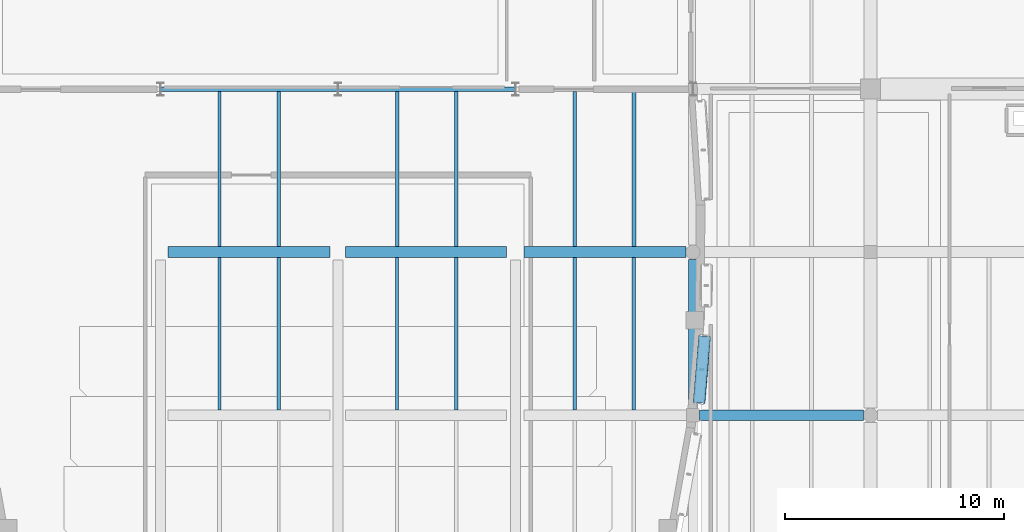
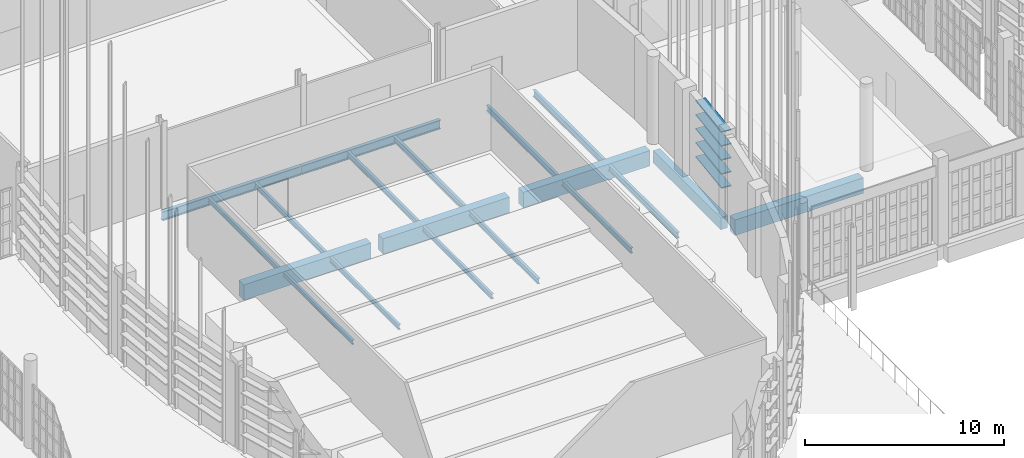
# One storey, part 119 of 372: 19 beams, 5 members.
"""IFC4 building model written with IfcOpenShell, lengths in metres."""

from ifc_helpers import new_model, si_unit, direction, frame, origin, origin_2d, place, context, subcontext, project, spatial, rectangle, hollow_rectangle, i_section, extrude, material, material_profile, profile_set, type_object, element, save


model = new_model("IFC4")

# Units and contexts
model_context = context("Model", 3, precision=1e-05, world=origin(), true_north=direction((0.0, 1.0)))
body_context = subcontext(model_context, "Body", "Model", "MODEL_VIEW")
ifc_project = project(units=[si_unit("LENGTHUNIT", "METRE"), si_unit("AREAUNIT", "SQUARE_METRE"), si_unit("VOLUMEUNIT", "CUBIC_METRE"), si_unit("PLANEANGLEUNIT", "RADIAN"), si_unit("MASSUNIT", "GRAM", prefix="KILO")], contexts=[model_context])

# Site, building, storey
site_placement = place(None, origin())
site = spatial("IfcSite", under=ifc_project, at=site_placement, CompositionType="ELEMENT")
building_placement = place(site_placement, origin())
building = spatial("IfcBuilding", under=site, at=building_placement, Name="Kaelora Sail Theatre", CompositionType="ELEMENT")
storey_placement = place(building_placement, origin())
storey = spatial("IfcBuildingStorey", under=building, at=storey_placement, Name="L00", CompositionType="ELEMENT", Elevation=0.0)

# Members
ifc_material_1 = material(Name="Anodised aluminium 6063-T6", Category="aluminium")
ifc_material_profile_1 = material_profile(ifc_material_1, hollow_rectangle(XDim=0.550048828125, YDim=0.06494140625, WallThickness=0.00390625, InnerFilletRadius=0.00390625, OuterFilletRadius=0.008056640625, at=origin_2d()), Name="LOUVRE 550x65x4")
ifc_profile_set_1 = profile_set([ifc_material_profile_1], Name="Anodised aluminium 6063-T6")
member_type = type_object("IfcMemberType", Name="ARC-MEM-LVR-300", PredefinedType="USERDEFINED", material=ifc_profile_set_1)
for number, where, z_axis, x_axis, name in (
    (1, (58.731201171875, 49.75, 1.25), (-0.084314088497, -0.996439227691, 0.0), (0.996439227691, -0.084314088497, 0.0), "Main Theatre Sail Drum horizontal solar louvre C3-01"),
    (2, (58.731201171875, 49.75, 2.110107421875), (-0.084314088497, -0.996439227691, 0.0), (0.996439227691, -0.084314088497, 0.0), "Main Theatre Sail Drum horizontal solar louvre C3-02"),
    (3, (58.731201171875, 49.75, 2.969970703125), (-0.084314088497, -0.996439227691, 0.0), (0.996439227691, -0.084314088497, 0.0), "Main Theatre Sail Drum horizontal solar louvre C3-03"),
    (4, (58.731201171875, 49.75, 3.830078125), (-0.084314088497, -0.996439227691, 0.0), (0.996439227691, -0.084314088497, 0.0), "Main Theatre Sail Drum horizontal solar louvre C3-04"),
    (5, (58.731201171875, 49.75, 4.68994140625), (-0.084314088497, -0.996439227691, 0.0), (0.996439227691, -0.084314088497, 0.0), "Main Theatre Sail Drum horizontal solar louvre C3-05"),
):
    element("IfcMember", number, at=place(storey_placement, frame(where, z_axis=z_axis, x_axis=x_axis)), inside=storey, type_object=member_type, Name=name, ObjectType="LOUVRE", PredefinedType="USERDEFINED", context=body_context, shape_type="SweptSolid", body=[
        extrude(hollow_rectangle(XDim=0.550048828125, YDim=0.06494140625, WallThickness=0.00390625, InnerFilletRadius=0.00390625, OuterFilletRadius=0.008056640625, at=origin_2d()), origin(), (0.0, 0.0, 1.0), 3.057861328125),
    ])

# Beams
ifc_material_2 = material(Name="Steel S355", Category="steel")
ifc_material_profile_2 = material_profile(ifc_material_2, i_section(OverallWidth=0.2099609375, OverallDepth=0.550048828125, WebThickness=0.010986328125, FlangeThickness=0.01708984375, FilletRadius=0.02392578125, at=origin_2d()), Name="IPE 550")
ifc_profile_set_2 = profile_set([ifc_material_profile_2], Name="Steel S355")
beam_type_1 = type_object("IfcBeamType", Name="STR-BM-BM-IPE550", PredefinedType="USERDEFINED", material=ifc_profile_set_2)
for number, where, z_axis, x_axis, name in (
    (6, (33.908935546875, 61.02001953125, -0.594970703125), (1.0, 0.0, 0.0), (0.0, 1.0, 0.0), "Primary beam I 5-6 (L00)"),
    (7, (42.009033203125, 61.02001953125, -0.594970703125), (1.0, 0.0, 0.0), (0.0, 1.0, 0.0), "Primary beam I 6-7 (L00)"),
):
    element("IfcBeam", number, at=place(storey_placement, frame(where, z_axis=z_axis, x_axis=x_axis)), inside=storey, type_object=beam_type_1, Name=name, ObjectType="GIRDER", PredefinedType="USERDEFINED", context=body_context, shape_type="SweptSolid", body=[
        extrude(i_section(OverallWidth=0.2099609375, OverallDepth=0.550048828125, WebThickness=0.010986328125, FlangeThickness=0.01708984375, FilletRadius=0.02392578125, at=origin_2d()), origin(), (0.0, 0.0, 1.0), 8.08203125),
    ])
ifc_material_3 = material(Name="Concrete C40/50", Category="concrete")
ifc_material_profile_3 = material_profile(ifc_material_3, rectangle(XDim=0.39990234375, YDim=0.75, at=origin_2d()), Name="RC-BM 400x750")
ifc_profile_set_3 = profile_set([ifc_material_profile_3], Name="Concrete C40/50")
beam_type_2 = type_object("IfcBeamType", Name="STR-BM-BM-RC4075", PredefinedType="BEAM", material=ifc_profile_set_3)
beam_1_placement = place(storey_placement, frame((58.199951171875, 46.43994140625, -0.695068359375), z_axis=(0.0, 1.0, 0.0), x_axis=(-1.0, 0.0, 0.0)))
element("IfcBeam", 8, at=beam_1_placement, inside=storey, type_object=beam_type_2, Name="Primary beam 8 G-H (L00)", PredefinedType="BEAM", context=body_context, shape_type="SweptSolid", body=[
    extrude(rectangle(XDim=0.39990234375, YDim=0.75, at=origin_2d()), origin(), (0.0, 0.0, 1.0), 6.81494140625),
])
ifc_material_4 = material(Name="Concrete C45/55", Category="concrete")
ifc_material_profile_4 = material_profile(ifc_material_4, rectangle(XDim=0.5, YDim=0.949951171875, at=origin_2d()), Name="RC-GRD 500x950")
ifc_profile_set_4 = profile_set([ifc_material_profile_4], Name="Concrete C45/55")
beam_type_3 = type_object("IfcBeamType", Name="STR-BM-GR-RC5095", PredefinedType="T_BEAM", material=ifc_profile_set_4)
beam_2_placement = place(storey_placement, frame((34.25, 53.580078125, -0.794921875), z_axis=(1.0, 0.0, 0.0), x_axis=(0.0, 1.0, 0.0)))
element("IfcBeam", 9, at=beam_2_placement, inside=storey, type_object=beam_type_3, Name="Primary beam H 5-6 (L00)", PredefinedType="T_BEAM", context=body_context, shape_type="SweptSolid", body=[
    extrude(rectangle(XDim=0.5, YDim=0.949951171875, at=origin_2d()), origin(), (0.0, 0.0, 1.0), 7.39990234375),
])
beam_3_placement = place(storey_placement, frame((42.35009765625, 53.580078125, -0.794921875), z_axis=(1.0, 0.0, 0.0), x_axis=(0.0, 1.0, 0.0)))
element("IfcBeam", 10, at=beam_3_placement, inside=storey, type_object=beam_type_3, Name="Primary beam H 6-7 (L00)", PredefinedType="T_BEAM", context=body_context, shape_type="SweptSolid", body=[
    extrude(rectangle(XDim=0.5, YDim=0.949951171875, at=origin_2d()), origin(), (0.0, 0.0, 1.0), 7.349853515625),
])
beam_4_placement = place(storey_placement, frame((50.5, 53.580078125, -0.794921875), z_axis=(1.0, 0.0, 0.0), x_axis=(0.0, 1.0, 0.0)))
element("IfcBeam", 11, at=beam_4_placement, inside=storey, type_object=beam_type_3, Name="Primary beam H 7-8 (L00)", PredefinedType="T_BEAM", context=body_context, shape_type="SweptSolid", body=[
    extrude(rectangle(XDim=0.5, YDim=0.949951171875, at=origin_2d()), origin(), (0.0, 0.0, 1.0), 7.375),
])
beam_5_placement = place(storey_placement, frame((58.5, 46.139892578125, -0.794921875), z_axis=(1.0, 0.0, 0.0), x_axis=(0.0, 1.0, 0.0)))
element("IfcBeam", 12, at=beam_5_placement, inside=storey, type_object=beam_type_3, Name="Primary beam G 8-9 (L00)", PredefinedType="T_BEAM", context=body_context, shape_type="SweptSolid", body=[
    extrude(rectangle(XDim=0.5, YDim=0.949951171875, at=origin_2d()), origin(), (0.0, 0.0, 1.0), 7.47509765625),
])
ifc_material_5 = material(Name="Steel S355", Category="steel")
ifc_material_profile_5 = material_profile(ifc_material_5, i_section(OverallWidth=0.135009765625, OverallDepth=0.27001953125, WebThickness=0.006591796875, FlangeThickness=0.01025390625, FilletRadius=0.014892578125, at=origin_2d()), Name="IPE 270")
ifc_profile_set_5 = profile_set([ifc_material_profile_5], Name="Steel S355")
beam_type_4 = type_object("IfcBeamType", Name="STR-BM-JS-IPE270", PredefinedType="JOIST", material=ifc_profile_set_5)
beam_6_placement = place(storey_placement, frame((36.60009765625, 46.389892578125, -0.455078125), z_axis=(0.0, 1.0, 0.0), x_axis=(-1.0, 0.0, 0.0)))
element("IfcBeam", 13, at=beam_6_placement, inside=storey, type_object=beam_type_4, Name="Secondary floor joist 5/G-1 (L00)", PredefinedType="JOIST", context=body_context, shape_type="SweptSolid", body=[
    extrude(i_section(OverallWidth=0.135009765625, OverallDepth=0.27001953125, WebThickness=0.006591796875, FlangeThickness=0.01025390625, FilletRadius=0.014892578125, at=origin_2d()), origin(), (0.0, 0.0, 1.0), 6.940185546875),
])
ifc_material_6 = material(Name="Steel S355", Category="steel")
ifc_material_profile_6 = material_profile(ifc_material_6, i_section(OverallWidth=0.14990234375, OverallDepth=0.300048828125, WebThickness=0.007080078125, FlangeThickness=0.0107421875, FilletRadius=0.014892578125, at=origin_2d()), Name="IPE 300")
ifc_profile_set_6 = profile_set([ifc_material_profile_6], Name="Steel S355")
beam_type_5 = type_object("IfcBeamType", Name="STR-BM-JS-IPE300", PredefinedType="JOIST", material=ifc_profile_set_6)
beam_7_placement = place(storey_placement, frame((39.300048828125, 46.389892578125, -0.469970703125), z_axis=(0.0, 1.0, 0.0), x_axis=(-1.0, 0.0, 0.0)))
element("IfcBeam", 14, at=beam_7_placement, inside=storey, type_object=beam_type_5, Name="Secondary floor joist 5/G-2 (L00)", PredefinedType="JOIST", context=body_context, shape_type="SweptSolid", body=[
    extrude(i_section(OverallWidth=0.14990234375, OverallDepth=0.300048828125, WebThickness=0.007080078125, FlangeThickness=0.0107421875, FilletRadius=0.014892578125, at=origin_2d()), origin(), (0.0, 0.0, 1.0), 6.940185546875),
])
beam_8_placement = place(storey_placement, frame((36.60009765625, 53.830078125, -0.469970703125), z_axis=(0.0, 1.0, 0.0), x_axis=(-1.0, 0.0, 0.0)))
element("IfcBeam", 15, at=beam_8_placement, inside=storey, type_object=beam_type_5, Name="Secondary floor joist 5/H-1 (L00)", PredefinedType="JOIST", context=body_context, shape_type="SweptSolid", body=[
    extrude(i_section(OverallWidth=0.14990234375, OverallDepth=0.300048828125, WebThickness=0.007080078125, FlangeThickness=0.0107421875, FilletRadius=0.014892578125, at=origin_2d()), origin(), (0.0, 0.0, 1.0), 7.0849609375),
])
beam_9_placement = place(storey_placement, frame((44.699951171875, 46.389892578125, -0.469970703125), z_axis=(0.0, 1.0, 0.0), x_axis=(-1.0, 0.0, 0.0)))
element("IfcBeam", 16, at=beam_9_placement, inside=storey, type_object=beam_type_5, Name="Secondary floor joist 6/G-1 (L00)", PredefinedType="JOIST", context=body_context, shape_type="SweptSolid", body=[
    extrude(i_section(OverallWidth=0.14990234375, OverallDepth=0.300048828125, WebThickness=0.007080078125, FlangeThickness=0.0107421875, FilletRadius=0.014892578125, at=origin_2d()), origin(), (0.0, 0.0, 1.0), 6.940185546875),
])
ifc_material_7 = material(Name="Steel S355", Category="steel")
ifc_material_profile_7 = material_profile(ifc_material_7, i_section(OverallWidth=0.159912109375, OverallDepth=0.330078125, WebThickness=0.007568359375, FlangeThickness=0.011474609375, FilletRadius=0.01806640625, at=origin_2d()), Name="IPE 330")
ifc_profile_set_7 = profile_set([ifc_material_profile_7], Name="Steel S355")
beam_type_6 = type_object("IfcBeamType", Name="STR-BM-JS-IPE330", PredefinedType="JOIST", material=ifc_profile_set_7)
beam_10_placement = place(storey_placement, frame((39.300048828125, 53.830078125, -0.485107421875), z_axis=(0.0, 1.0, 0.0), x_axis=(-1.0, 0.0, 0.0)))
element("IfcBeam", 17, at=beam_10_placement, inside=storey, type_object=beam_type_6, Name="Secondary floor joist 5/H-2 (L00)", PredefinedType="JOIST", context=body_context, shape_type="SweptSolid", body=[
    extrude(i_section(OverallWidth=0.159912109375, OverallDepth=0.330078125, WebThickness=0.007568359375, FlangeThickness=0.011474609375, FilletRadius=0.01806640625, at=origin_2d()), origin(), (0.0, 0.0, 1.0), 7.0849609375),
])
beam_11_placement = place(storey_placement, frame((47.39990234375, 46.389892578125, -0.485107421875), z_axis=(0.0, 1.0, 0.0), x_axis=(-1.0, 0.0, 0.0)))
element("IfcBeam", 18, at=beam_11_placement, inside=storey, type_object=beam_type_6, Name="Secondary floor joist 6/G-2 (L00)", PredefinedType="JOIST", context=body_context, shape_type="SweptSolid", body=[
    extrude(i_section(OverallWidth=0.159912109375, OverallDepth=0.330078125, WebThickness=0.007568359375, FlangeThickness=0.011474609375, FilletRadius=0.01806640625, at=origin_2d()), origin(), (0.0, 0.0, 1.0), 6.940185546875),
])
beam_12_placement = place(storey_placement, frame((44.699951171875, 53.830078125, -0.485107421875), z_axis=(0.0, 1.0, 0.0), x_axis=(-1.0, 0.0, 0.0)))
element("IfcBeam", 19, at=beam_12_placement, inside=storey, type_object=beam_type_6, Name="Secondary floor joist 6/H-1 (L00)", PredefinedType="JOIST", context=body_context, shape_type="SweptSolid", body=[
    extrude(i_section(OverallWidth=0.159912109375, OverallDepth=0.330078125, WebThickness=0.007568359375, FlangeThickness=0.011474609375, FilletRadius=0.01806640625, at=origin_2d()), origin(), (0.0, 0.0, 1.0), 7.0849609375),
])
beam_13_placement = place(storey_placement, frame((52.800048828125, 46.389892578125, -0.485107421875), z_axis=(0.0, 1.0, 0.0), x_axis=(-1.0, 0.0, 0.0)))
element("IfcBeam", 20, at=beam_13_placement, inside=storey, type_object=beam_type_6, Name="Secondary floor joist 7/G-1 (L00)", PredefinedType="JOIST", context=body_context, shape_type="SweptSolid", body=[
    extrude(i_section(OverallWidth=0.159912109375, OverallDepth=0.330078125, WebThickness=0.007568359375, FlangeThickness=0.011474609375, FilletRadius=0.01806640625, at=origin_2d()), origin(), (0.0, 0.0, 1.0), 6.940185546875),
])
ifc_material_8 = material(Name="Steel S355", Category="steel")
ifc_material_profile_8 = material_profile(ifc_material_8, i_section(OverallWidth=0.169921875, OverallDepth=0.360107421875, WebThickness=0.008056640625, FlangeThickness=0.0126953125, FilletRadius=0.01806640625, at=origin_2d()), Name="IPE 360")
ifc_profile_set_8 = profile_set([ifc_material_profile_8], Name="Steel S355")
beam_type_7 = type_object("IfcBeamType", Name="STR-BM-JS-IPE360", PredefinedType="JOIST", material=ifc_profile_set_8)
beam_14_placement = place(storey_placement, frame((47.39990234375, 53.830078125, -0.5), z_axis=(0.0, 1.0, 0.0), x_axis=(-1.0, 0.0, 0.0)))
element("IfcBeam", 21, at=beam_14_placement, inside=storey, type_object=beam_type_7, Name="Secondary floor joist 6/H-2 (L00)", PredefinedType="JOIST", context=body_context, shape_type="SweptSolid", body=[
    extrude(i_section(OverallWidth=0.169921875, OverallDepth=0.360107421875, WebThickness=0.008056640625, FlangeThickness=0.0126953125, FilletRadius=0.01806640625, at=origin_2d()), origin(), (0.0, 0.0, 1.0), 7.0849609375),
])
beam_15_placement = place(storey_placement, frame((55.5, 46.389892578125, -0.5), z_axis=(0.0, 1.0, 0.0), x_axis=(-1.0, 0.0, 0.0)))
element("IfcBeam", 22, at=beam_15_placement, inside=storey, type_object=beam_type_7, Name="Secondary floor joist 7/G-2 (L00)", PredefinedType="JOIST", context=body_context, shape_type="SweptSolid", body=[
    extrude(i_section(OverallWidth=0.169921875, OverallDepth=0.360107421875, WebThickness=0.008056640625, FlangeThickness=0.0126953125, FilletRadius=0.01806640625, at=origin_2d()), origin(), (0.0, 0.0, 1.0), 6.940185546875),
])
beam_16_placement = place(storey_placement, frame((52.800048828125, 53.830078125, -0.5), z_axis=(0.0, 1.0, 0.0), x_axis=(-1.0, 0.0, 0.0)))
element("IfcBeam", 23, at=beam_16_placement, inside=storey, type_object=beam_type_7, Name="Secondary floor joist 7/H-1 (L00)", PredefinedType="JOIST", context=body_context, shape_type="SweptSolid", body=[
    extrude(i_section(OverallWidth=0.169921875, OverallDepth=0.360107421875, WebThickness=0.008056640625, FlangeThickness=0.0126953125, FilletRadius=0.01806640625, at=origin_2d()), origin(), (0.0, 0.0, 1.0), 7.0849609375),
])
ifc_material_9 = material(Name="Steel S355", Category="steel")
ifc_material_profile_9 = material_profile(ifc_material_9, i_section(OverallWidth=0.179931640625, OverallDepth=0.39990234375, WebThickness=0.008544921875, FlangeThickness=0.013427734375, FilletRadius=0.02099609375, at=origin_2d()), Name="IPE 400")
ifc_profile_set_9 = profile_set([ifc_material_profile_9], Name="Steel S355")
beam_type_8 = type_object("IfcBeamType", Name="STR-BM-JS-IPE400", PredefinedType="JOIST", material=ifc_profile_set_9)
beam_17_placement = place(storey_placement, frame((55.5, 53.830078125, -0.52001953125), z_axis=(0.0, 1.0, 0.0), x_axis=(-1.0, 0.0, 0.0)))
element("IfcBeam", 24, at=beam_17_placement, inside=storey, type_object=beam_type_8, Name="Secondary floor joist 7/H-2 (L00)", PredefinedType="JOIST", context=body_context, shape_type="SweptSolid", body=[
    extrude(i_section(OverallWidth=0.179931640625, OverallDepth=0.39990234375, WebThickness=0.008544921875, FlangeThickness=0.013427734375, FilletRadius=0.02099609375, at=origin_2d()), origin(), (0.0, 0.0, 1.0), 7.0849609375),
])

save(model, "model.ifc")
